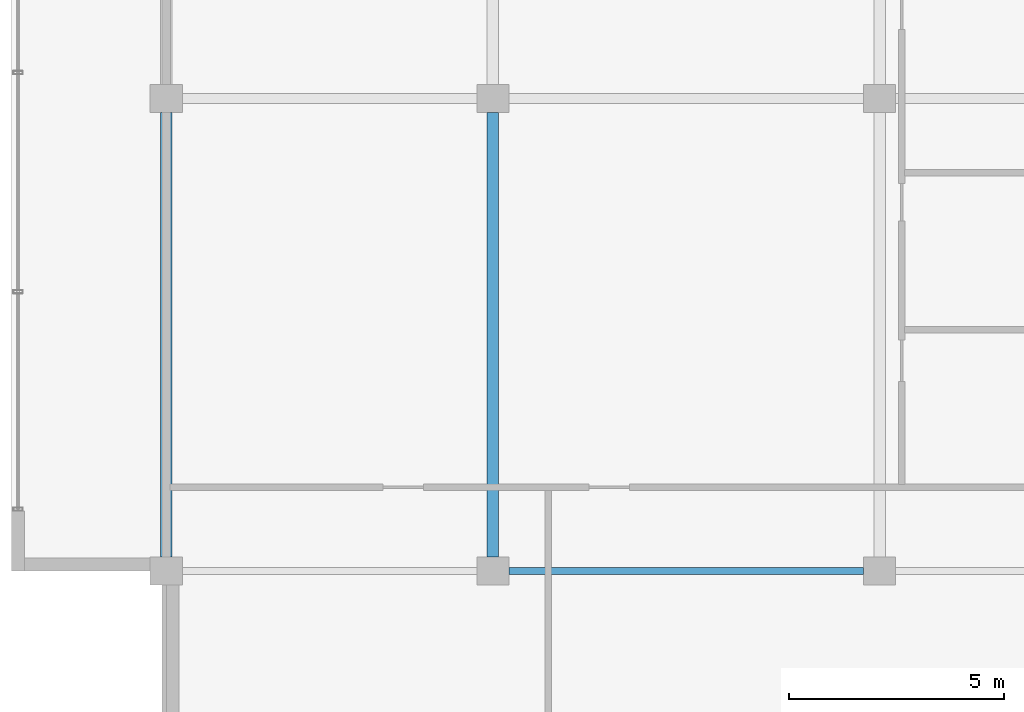
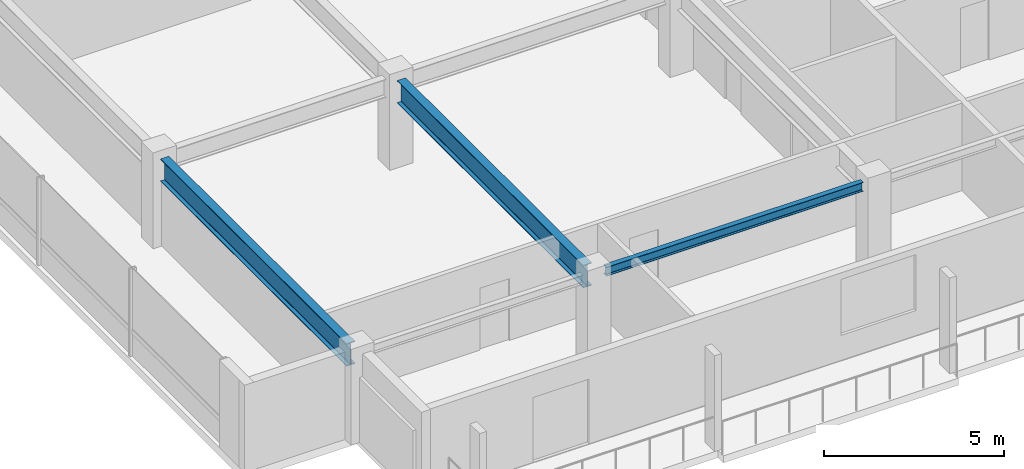
# One storey, part 3 of 30: 3 beams.
"""IFC4 building model written with IfcOpenShell, lengths in metres."""

from ifc_helpers import new_model, si_unit, direction, frame, origin, origin_2d, place, context, subcontext, project, spatial, i_section, extrude, material, material_profile, profile_set, type_object, element, save


model = new_model("IFC4")

# Units and contexts
model_context = context("Model", 3, precision=1e-05, world=origin(), true_north=direction((0.0, 1.0)))
body_context = subcontext(model_context, "Body", "Model", "MODEL_VIEW")
ifc_project = project(units=[si_unit("LENGTHUNIT", "METRE"), si_unit("AREAUNIT", "SQUARE_METRE"), si_unit("VOLUMEUNIT", "CUBIC_METRE"), si_unit("PLANEANGLEUNIT", "RADIAN"), si_unit("MASSUNIT", "GRAM", prefix="KILO")], contexts=[model_context])

# Site, building, storey
site_placement = place(None, origin())
site = spatial("IfcSite", under=ifc_project, at=site_placement, CompositionType="ELEMENT")
building_placement = place(site_placement, origin())
building = spatial("IfcBuilding", under=site, at=building_placement, Name="Korimba Cascade Residences", CompositionType="ELEMENT")
storey_placement = place(building_placement, frame((0.0, 0.0, 201.10009765625)))
storey = spatial("IfcBuildingStorey", under=building, at=storey_placement, Name="L58", CompositionType="ELEMENT", Elevation=201.10009765625)

# Beams
ifc_material = material(Name="Steel S355", Category="steel")
ifc_material_profile_1 = material_profile(ifc_material, i_section(OverallWidth=0.165771484375, OverallDepth=0.306640625, WebThickness=0.006591796875, FlangeThickness=0.01171875, FilletRadius=0.0087890625, at=origin_2d()), Name="Steel S355")
ifc_profile_set_1 = profile_set([ifc_material_profile_1], Name="Steel S355")
beam_type_1 = type_object("IfcBeamType", Name="BM-STL-UB305", PredefinedType="SPANDREL", material=ifc_profile_set_1)
beam_placement = place(storey_placement, frame((82.47509765625, -4.199951171875, 2.816650390625), z_axis=(1.0, 0.0, 0.0), x_axis=(0.0, 1.0, 0.0)))
element("IfcBeam", 1, at=beam_placement, inside=storey, type_object=beam_type_1, Name="L58 T2 E-W Girder Y1 Bay 2", PredefinedType="SPANDREL", context=body_context, shape_type="SweptSolid", body=[
    extrude(i_section(OverallWidth=0.165771484375, OverallDepth=0.306640625, WebThickness=0.006591796875, FlangeThickness=0.01171875, FilletRadius=0.0087890625, at=origin_2d()), origin(), (0.0, 0.0, 1.0), 8.25),
])
ifc_material_profile_2 = material_profile(ifc_material, i_section(OverallWidth=0.26806640625, OverallDepth=0.769775390625, WebThickness=0.015625, FlangeThickness=0.025390625, FilletRadius=0.0166015625, at=origin_2d()), Name="Steel S355")
ifc_profile_set_2 = profile_set([ifc_material_profile_2], Name="Steel S355")
beam_type_2 = type_object("IfcBeamType", Name="BM-STL-UB762", PredefinedType="BEAM", material=ifc_profile_set_2)
for number, where, z_axis, x_axis, name in (
    (2, (74.5, -3.875, 2.5849609375), (0.0, 1.0, 0.0), (-1.0, 0.0, 0.0), "L58 T2 N-S Girder X1 Seg 1"),
    (3, (82.10009765625, -3.875, 2.5849609375), (0.0, 1.0, 0.0), (-1.0, 0.0, 0.0), "L58 T2 N-S Girder X2 Seg 1"),
):
    element("IfcBeam", number, at=place(storey_placement, frame(where, z_axis=z_axis, x_axis=x_axis)), inside=storey, type_object=beam_type_2, Name=name, PredefinedType="BEAM", context=body_context, shape_type="SweptSolid", body=[
        extrude(i_section(OverallWidth=0.26806640625, OverallDepth=0.769775390625, WebThickness=0.015625, FlangeThickness=0.025390625, FilletRadius=0.0166015625, at=origin_2d()), origin(), (0.0, 0.0, 1.0), 10.35009765625),
    ])

save(model, "model.ifc")
